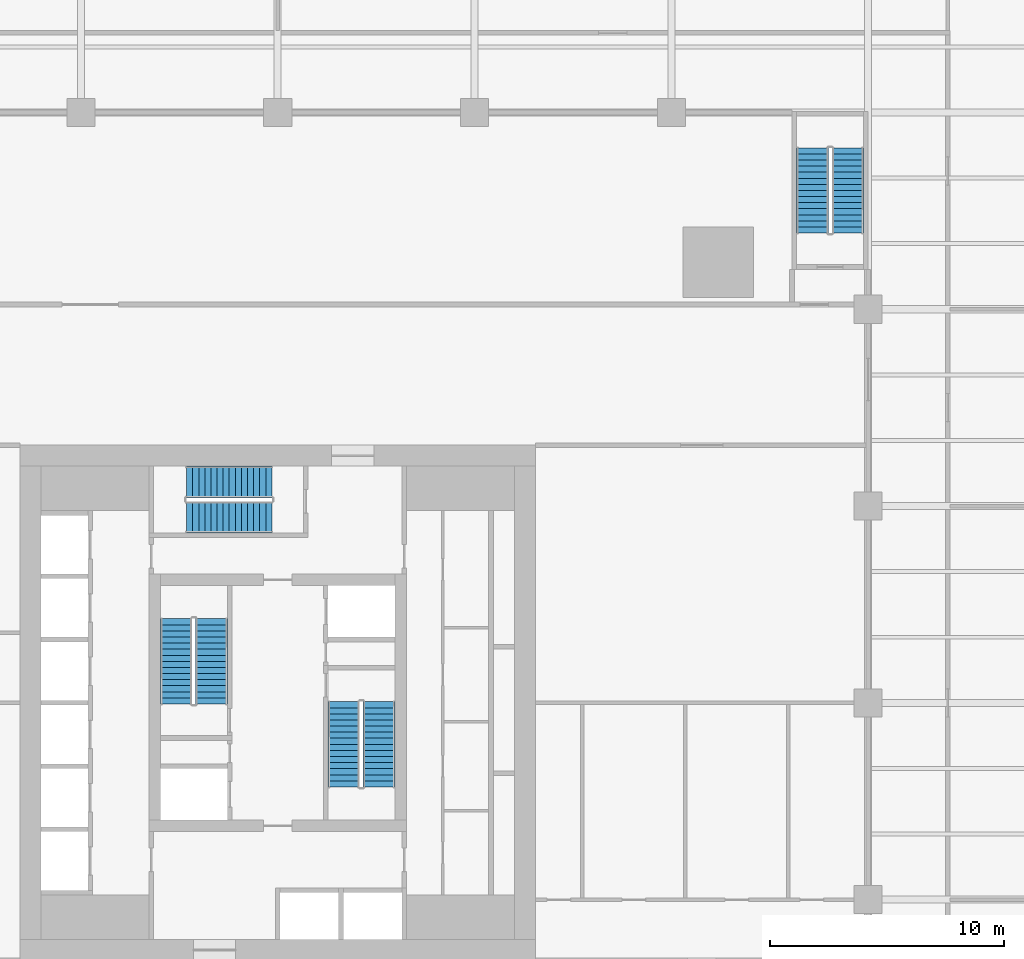
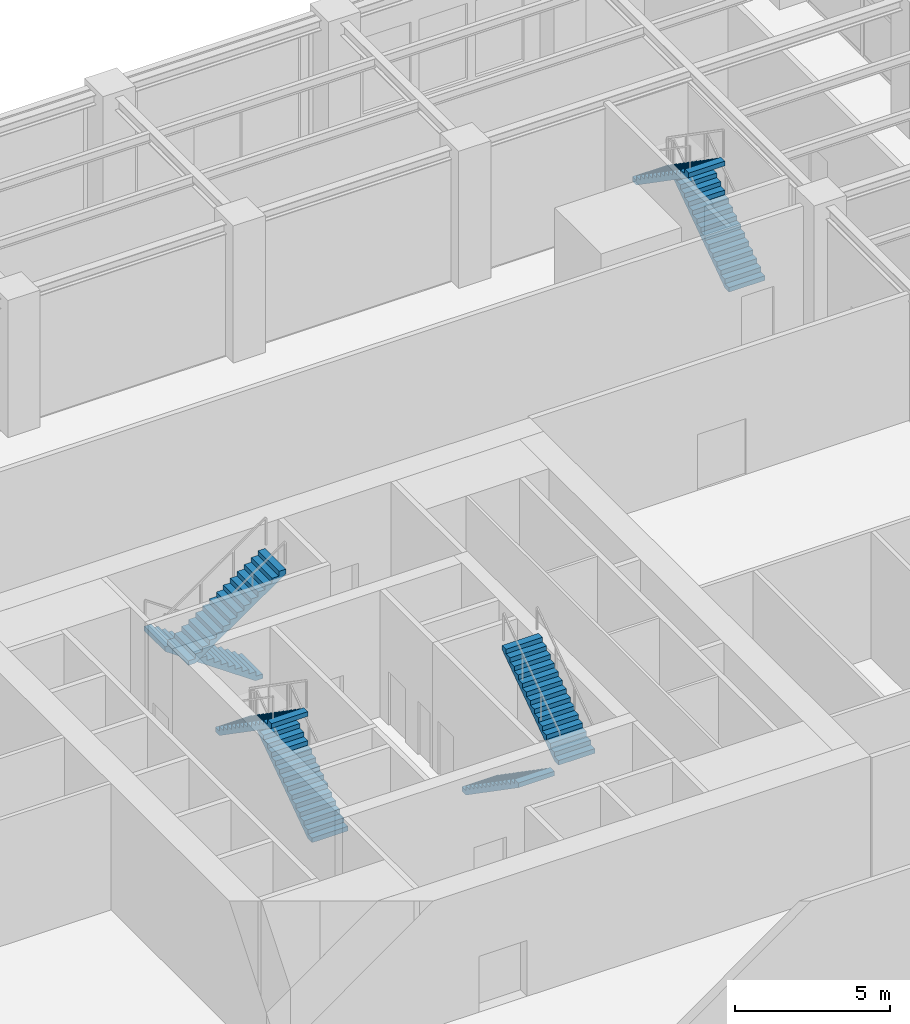
# One storey, part 28 of 36: 8 stair flights, 4 elements without a shape of their own.
"""IFC4 building model written with IfcOpenShell, lengths in metres."""

from ifc_helpers import new_model, si_unit, direction, frame, origin, place, context, subcontext, project, spatial, polyline, outline, extrude, material, type_object, element, aggregate, save


model = new_model("IFC4")

# Units and contexts
model_context = context("Model", 3, precision=1e-05, world=origin(), true_north=direction((0.0, 1.0)))
body_context = subcontext(model_context, "Body", "Model", "MODEL_VIEW")
ifc_project = project(units=[si_unit("LENGTHUNIT", "METRE"), si_unit("AREAUNIT", "SQUARE_METRE"), si_unit("VOLUMEUNIT", "CUBIC_METRE"), si_unit("PLANEANGLEUNIT", "RADIAN"), si_unit("MASSUNIT", "GRAM", prefix="KILO")], contexts=[model_context])

# Site, building, storey
site_placement = place(None, origin())
site = spatial("IfcSite", under=ifc_project, at=site_placement, CompositionType="ELEMENT")
building_placement = place(site_placement, origin())
building = spatial("IfcBuilding", under=site, at=building_placement, Name="Khepri Terraces", CompositionType="ELEMENT")
storey_placement = place(building_placement, frame((0.0, 0.0, 16.800048828125)))
storey = spatial("IfcBuildingStorey", under=building, at=storey_placement, Name="L03", CompositionType="ELEMENT", Elevation=16.800048828125)

# Stair, stair flights
ifc_material = material(Name="Concrete C40/50", Category="concrete")
stair_type_1 = type_object("IfcStairType", Name="ST-POD", PredefinedType="HALF_TURN_STAIR", material=ifc_material)
stair_1_placement = place(storey_placement, origin())
stair_1 = element("IfcStair", 1, at=stair_1_placement, inside=storey, type_object=stair_type_1, Name="L03 Exit Stair PS-1", PredefinedType="HALF_TURN_STAIR")
stair_flight_type_1 = type_object("IfcStairFlightType", Name="SFL-POD", PredefinedType="STRAIGHT", material=ifc_material)
stair_flight_1_placement = place(storey_placement, frame((24.324951171875, 20.050048828125, 0.0), z_axis=(0.0, 0.0, 1.0), x_axis=(0.0, 1.0, 0.0)))
stair_flight_1 = element("IfcStairFlight", 2, at=stair_flight_1_placement, type_object=stair_flight_type_1, Name="PS-1 flight 1", NumberOfRisers=15, NumberOfTreads=14, PredefinedType="STRAIGHT", RiserHeight=0.18, TreadLength=0.26, context=body_context, shape_type="SweptSolid", body=[
    extrude(outline(polyline([(0.0, 0.0), (0.0, 0.179931640625), (0.260009765625, 0.179931640625), (0.260009765625, 0.360107421875), (0.52001953125, 0.360107421875), (0.52001953125, 0.5400390625), (0.780029296875, 0.5400390625), (0.780029296875, 0.719970703125), (1.0400390625, 0.719970703125), (1.0400390625, 0.89990234375), (1.300048828125, 0.89990234375), (1.300048828125, 1.080078125), (1.56005859375, 1.080078125), (1.56005859375, 1.260009765625), (1.820068359375, 1.260009765625), (1.820068359375, 1.43994140625), (2.080078125, 1.43994140625), (2.080078125, 1.6201171875), (2.340087890625, 1.6201171875), (2.340087890625, 1.800048828125), (2.60009765625, 1.800048828125), (2.60009765625, 1.97998046875), (2.860107421875, 1.97998046875), (2.860107421875, 2.159912109375), (3.1201171875, 2.159912109375), (3.1201171875, 2.340087890625), (3.3798828125, 2.340087890625), (3.3798828125, 2.52001953125), (3.639892578125, 2.52001953125), (3.639892578125, 2.699951171875), (3.639892578125, 2.337646484375), (0.263427734375, 0.0), (0.0, 0.0)])), frame((0.0, 0.675048828125, 0.0), z_axis=(0.0, -1.0, 0.0), x_axis=(1.0, 0.0, 0.0)), (0.0, 0.0, 1.0), 1.35009765625),
])
stair_flight_2_placement = place(storey_placement, frame((22.824951171875, 23.68994140625, 2.699951171875), z_axis=(0.0, 0.0, 1.0), x_axis=(0.0, -1.0, 0.0)))
stair_flight_2 = element("IfcStairFlight", 3, at=stair_flight_2_placement, type_object=stair_flight_type_1, Name="PS-1 flight 2", NumberOfRisers=15, NumberOfTreads=14, PredefinedType="STRAIGHT", RiserHeight=0.18, TreadLength=0.26, context=body_context, shape_type="SweptSolid", body=[
    extrude(outline(polyline([(0.0, 0.0), (0.0, 0.179931640625), (0.260009765625, 0.179931640625), (0.260009765625, 0.360107421875), (0.52001953125, 0.360107421875), (0.52001953125, 0.5400390625), (0.780029296875, 0.5400390625), (0.780029296875, 0.719970703125), (1.0400390625, 0.719970703125), (1.0400390625, 0.89990234375), (1.300048828125, 0.89990234375), (1.300048828125, 1.080078125), (1.56005859375, 1.080078125), (1.56005859375, 1.260009765625), (1.820068359375, 1.260009765625), (1.820068359375, 1.43994140625), (2.080078125, 1.43994140625), (2.080078125, 1.6201171875), (2.340087890625, 1.6201171875), (2.340087890625, 1.800048828125), (2.60009765625, 1.800048828125), (2.60009765625, 1.97998046875), (2.860107421875, 1.97998046875), (2.860107421875, 2.159912109375), (3.1201171875, 2.159912109375), (3.1201171875, 2.340087890625), (3.3798828125, 2.340087890625), (3.3798828125, 2.52001953125), (3.639892578125, 2.52001953125), (3.639892578125, 2.699951171875), (3.639892578125, 2.337646484375), (0.263427734375, 0.0), (0.0, 0.0)])), frame((0.0, 0.675048828125, 0.0), z_axis=(0.0, -1.0, 0.0), x_axis=(1.0, 0.0, 0.0)), (0.0, 0.0, 1.0), 1.35009765625),
])
aggregate(stair_1, [stair_flight_1, stair_flight_2])

stair_type_2 = type_object("IfcStairType", Name="STAIR-RC-30R", PredefinedType="HALF_TURN_STAIR", material=ifc_material)
stair_2_placement = place(storey_placement, origin())
stair_2 = element("IfcStair", 4, at=stair_2_placement, inside=storey, type_object=stair_type_2, Name="L03 Exit Stair ST-1", PredefinedType="HALF_TURN_STAIR")
stair_flight_type_2 = type_object("IfcStairFlightType", Name="SFL-RC-180", PredefinedType="STRAIGHT", material=ifc_material)
stair_flight_3_placement = place(storey_placement, frame((-2.824951171875, -0.050048828125, 0.0), z_axis=(0.0, 0.0, 1.0), x_axis=(0.0, 1.0, 0.0)))
stair_flight_3 = element("IfcStairFlight", 5, at=stair_flight_3_placement, type_object=stair_flight_type_2, Name="ST-1 flight 1", NumberOfRisers=15, NumberOfTreads=14, PredefinedType="STRAIGHT", RiserHeight=0.18, TreadLength=0.26, context=body_context, shape_type="SweptSolid", body=[
    extrude(outline(polyline([(0.0, 0.0), (0.0, 0.179931640625), (0.260009765625, 0.179931640625), (0.260009765625, 0.360107421875), (0.52001953125, 0.360107421875), (0.52001953125, 0.5400390625), (0.780029296875, 0.5400390625), (0.780029296875, 0.719970703125), (1.0400390625, 0.719970703125), (1.0400390625, 0.89990234375), (1.300048828125, 0.89990234375), (1.300048828125, 1.080078125), (1.56005859375, 1.080078125), (1.56005859375, 1.260009765625), (1.820068359375, 1.260009765625), (1.820068359375, 1.43994140625), (2.080078125, 1.43994140625), (2.080078125, 1.6201171875), (2.340087890625, 1.6201171875), (2.340087890625, 1.800048828125), (2.60009765625, 1.800048828125), (2.60009765625, 1.97998046875), (2.860107421875, 1.97998046875), (2.860107421875, 2.159912109375), (3.1201171875, 2.159912109375), (3.1201171875, 2.340087890625), (3.3798828125, 2.340087890625), (3.3798828125, 2.52001953125), (3.639892578125, 2.52001953125), (3.639892578125, 2.699951171875), (3.639892578125, 2.337646484375), (0.263427734375, 0.0), (0.0, 0.0)])), frame((0.0, 0.675048828125, 0.0), z_axis=(0.0, -1.0, 0.0), x_axis=(1.0, 0.0, 0.0)), (0.0, 0.0, 1.0), 1.35009765625),
])
stair_flight_4_placement = place(storey_placement, frame((-4.324951171875, 3.590087890625, 2.699951171875), z_axis=(0.0, 0.0, 1.0), x_axis=(0.0, -1.0, 0.0)))
stair_flight_4 = element("IfcStairFlight", 6, at=stair_flight_4_placement, type_object=stair_flight_type_2, Name="ST-1 flight 2", NumberOfRisers=15, NumberOfTreads=14, PredefinedType="STRAIGHT", RiserHeight=0.18, TreadLength=0.26, context=body_context, shape_type="SweptSolid", body=[
    extrude(outline(polyline([(0.0, 0.0), (0.0, 0.179931640625), (0.260009765625, 0.179931640625), (0.260009765625, 0.360107421875), (0.52001953125, 0.360107421875), (0.52001953125, 0.5400390625), (0.780029296875, 0.5400390625), (0.780029296875, 0.719970703125), (1.0400390625, 0.719970703125), (1.0400390625, 0.89990234375), (1.300048828125, 0.89990234375), (1.300048828125, 1.080078125), (1.56005859375, 1.080078125), (1.56005859375, 1.260009765625), (1.820068359375, 1.260009765625), (1.820068359375, 1.43994140625), (2.080078125, 1.43994140625), (2.080078125, 1.6201171875), (2.340087890625, 1.6201171875), (2.340087890625, 1.800048828125), (2.60009765625, 1.800048828125), (2.60009765625, 1.97998046875), (2.860107421875, 1.97998046875), (2.860107421875, 2.159912109375), (3.1201171875, 2.159912109375), (3.1201171875, 2.340087890625), (3.3798828125, 2.340087890625), (3.3798828125, 2.52001953125), (3.639892578125, 2.52001953125), (3.639892578125, 2.699951171875), (3.639892578125, 2.337646484375), (0.263427734375, 0.0), (0.0, 0.0)])), frame((0.0, 0.675048828125, 0.0), z_axis=(0.0, -1.0, 0.0), x_axis=(1.0, 0.0, 0.0)), (0.0, 0.0, 1.0), 1.35009765625),
])
aggregate(stair_2, [stair_flight_3, stair_flight_4])

stair_3_placement = place(storey_placement, origin())
stair_3 = element("IfcStair", 7, at=stair_3_placement, inside=storey, type_object=stair_type_2, Name="L03 Exit Stair ST-2", PredefinedType="HALF_TURN_STAIR")
stair_flight_5_placement = place(storey_placement, frame((2.824951171875, 0.050048828125, 0.0), z_axis=(0.0, 0.0, 1.0), x_axis=(0.0, -1.0, 0.0)))
stair_flight_5 = element("IfcStairFlight", 8, at=stair_flight_5_placement, type_object=stair_flight_type_2, Name="ST-2 flight 1", NumberOfRisers=15, NumberOfTreads=14, PredefinedType="STRAIGHT", RiserHeight=0.18, TreadLength=0.26, context=body_context, shape_type="SweptSolid", body=[
    extrude(outline(polyline([(0.0, 0.0), (0.0, 0.179931640625), (0.260009765625, 0.179931640625), (0.260009765625, 0.360107421875), (0.52001953125, 0.360107421875), (0.52001953125, 0.5400390625), (0.780029296875, 0.5400390625), (0.780029296875, 0.719970703125), (1.0400390625, 0.719970703125), (1.0400390625, 0.89990234375), (1.300048828125, 0.89990234375), (1.300048828125, 1.080078125), (1.56005859375, 1.080078125), (1.56005859375, 1.260009765625), (1.820068359375, 1.260009765625), (1.820068359375, 1.43994140625), (2.080078125, 1.43994140625), (2.080078125, 1.6201171875), (2.340087890625, 1.6201171875), (2.340087890625, 1.800048828125), (2.60009765625, 1.800048828125), (2.60009765625, 1.97998046875), (2.860107421875, 1.97998046875), (2.860107421875, 2.159912109375), (3.1201171875, 2.159912109375), (3.1201171875, 2.340087890625), (3.3798828125, 2.340087890625), (3.3798828125, 2.52001953125), (3.639892578125, 2.52001953125), (3.639892578125, 2.699951171875), (3.639892578125, 2.337646484375), (0.263427734375, 0.0), (0.0, 0.0)])), frame((0.0, 0.675048828125, 0.0), z_axis=(0.0, -1.0, 0.0), x_axis=(1.0, 0.0, 0.0)), (0.0, 0.0, 1.0), 1.35009765625),
])
stair_flight_6_placement = place(storey_placement, frame((4.324951171875, -3.590087890625, 2.699951171875), z_axis=(0.0, 0.0, 1.0), x_axis=(0.0, 1.0, 0.0)))
stair_flight_6 = element("IfcStairFlight", 9, at=stair_flight_6_placement, type_object=stair_flight_type_2, Name="ST-2 flight 2", NumberOfRisers=15, NumberOfTreads=14, PredefinedType="STRAIGHT", RiserHeight=0.18, TreadLength=0.26, context=body_context, shape_type="SweptSolid", body=[
    extrude(outline(polyline([(0.0, 0.0), (0.0, 0.179931640625), (0.260009765625, 0.179931640625), (0.260009765625, 0.360107421875), (0.52001953125, 0.360107421875), (0.52001953125, 0.5400390625), (0.780029296875, 0.5400390625), (0.780029296875, 0.719970703125), (1.0400390625, 0.719970703125), (1.0400390625, 0.89990234375), (1.300048828125, 0.89990234375), (1.300048828125, 1.080078125), (1.56005859375, 1.080078125), (1.56005859375, 1.260009765625), (1.820068359375, 1.260009765625), (1.820068359375, 1.43994140625), (2.080078125, 1.43994140625), (2.080078125, 1.6201171875), (2.340087890625, 1.6201171875), (2.340087890625, 1.800048828125), (2.60009765625, 1.800048828125), (2.60009765625, 1.97998046875), (2.860107421875, 1.97998046875), (2.860107421875, 2.159912109375), (3.1201171875, 2.159912109375), (3.1201171875, 2.340087890625), (3.3798828125, 2.340087890625), (3.3798828125, 2.52001953125), (3.639892578125, 2.52001953125), (3.639892578125, 2.699951171875), (3.639892578125, 2.337646484375), (0.263427734375, 0.0), (0.0, 0.0)])), frame((0.0, 0.675048828125, 0.0), z_axis=(0.0, -1.0, 0.0), x_axis=(1.0, 0.0, 0.0)), (0.0, 0.0, 1.0), 1.35009765625),
])
aggregate(stair_3, [stair_flight_5, stair_flight_6])

stair_4_placement = place(storey_placement, origin())
stair_4 = element("IfcStair", 10, at=stair_4_placement, inside=storey, type_object=stair_type_2, Name="L03 Exit Stair ST-3", PredefinedType="HALF_TURN_STAIR")
stair_flight_7_placement = place(storey_placement, frame((-0.25, 9.425048828125, 0.0), z_axis=(0.0, 0.0, 1.0), x_axis=(-1.0, 0.0, 0.0)))
stair_flight_7 = element("IfcStairFlight", 11, at=stair_flight_7_placement, type_object=stair_flight_type_2, Name="ST-3 flight 1", NumberOfRisers=15, NumberOfTreads=14, PredefinedType="STRAIGHT", RiserHeight=0.18, TreadLength=0.26, context=body_context, shape_type="SweptSolid", body=[
    extrude(outline(polyline([(0.0, 0.0), (0.0, 0.179931640625), (0.260009765625, 0.179931640625), (0.260009765625, 0.360107421875), (0.52001953125, 0.360107421875), (0.52001953125, 0.5400390625), (0.780029296875, 0.5400390625), (0.780029296875, 0.719970703125), (1.0400390625, 0.719970703125), (1.0400390625, 0.89990234375), (1.300048828125, 0.89990234375), (1.300048828125, 1.080078125), (1.56005859375, 1.080078125), (1.56005859375, 1.260009765625), (1.820068359375, 1.260009765625), (1.820068359375, 1.43994140625), (2.080078125, 1.43994140625), (2.080078125, 1.6201171875), (2.340087890625, 1.6201171875), (2.340087890625, 1.800048828125), (2.60009765625, 1.800048828125), (2.60009765625, 1.97998046875), (2.860107421875, 1.97998046875), (2.860107421875, 2.159912109375), (3.1201171875, 2.159912109375), (3.1201171875, 2.340087890625), (3.3798828125, 2.340087890625), (3.3798828125, 2.52001953125), (3.639892578125, 2.52001953125), (3.639892578125, 2.699951171875), (3.639892578125, 2.337646484375), (0.263427734375, 0.0), (0.0, 0.0)])), frame((0.0, 0.675048828125, 0.0), z_axis=(0.0, -1.0, 0.0), x_axis=(1.0, 0.0, 0.0)), (0.0, 0.0, 1.0), 1.35009765625),
])
stair_flight_8_placement = place(storey_placement, frame((-3.889892578125, 7.925048828125, 2.699951171875), z_axis=(0.0, 0.0, 1.0), x_axis=(1.0, 0.0, 0.0)))
stair_flight_8 = element("IfcStairFlight", 12, at=stair_flight_8_placement, type_object=stair_flight_type_2, Name="ST-3 flight 2", NumberOfRisers=15, NumberOfTreads=14, PredefinedType="STRAIGHT", RiserHeight=0.18, TreadLength=0.26, context=body_context, shape_type="SweptSolid", body=[
    extrude(outline(polyline([(0.0, 0.0), (0.0, 0.179931640625), (0.260009765625, 0.179931640625), (0.260009765625, 0.360107421875), (0.52001953125, 0.360107421875), (0.52001953125, 0.5400390625), (0.780029296875, 0.5400390625), (0.780029296875, 0.719970703125), (1.0400390625, 0.719970703125), (1.0400390625, 0.89990234375), (1.300048828125, 0.89990234375), (1.300048828125, 1.080078125), (1.56005859375, 1.080078125), (1.56005859375, 1.260009765625), (1.820068359375, 1.260009765625), (1.820068359375, 1.43994140625), (2.080078125, 1.43994140625), (2.080078125, 1.6201171875), (2.340087890625, 1.6201171875), (2.340087890625, 1.800048828125), (2.60009765625, 1.800048828125), (2.60009765625, 1.97998046875), (2.860107421875, 1.97998046875), (2.860107421875, 2.159912109375), (3.1201171875, 2.159912109375), (3.1201171875, 2.340087890625), (3.3798828125, 2.340087890625), (3.3798828125, 2.52001953125), (3.639892578125, 2.52001953125), (3.639892578125, 2.699951171875), (3.639892578125, 2.337646484375), (0.263427734375, 0.0), (0.0, 0.0)])), frame((0.0, 0.675048828125, 0.0), z_axis=(0.0, -1.0, 0.0), x_axis=(1.0, 0.0, 0.0)), (0.0, 0.0, 1.0), 1.35009765625),
])
aggregate(stair_4, [stair_flight_7, stair_flight_8])

save(model, "model.ifc")
